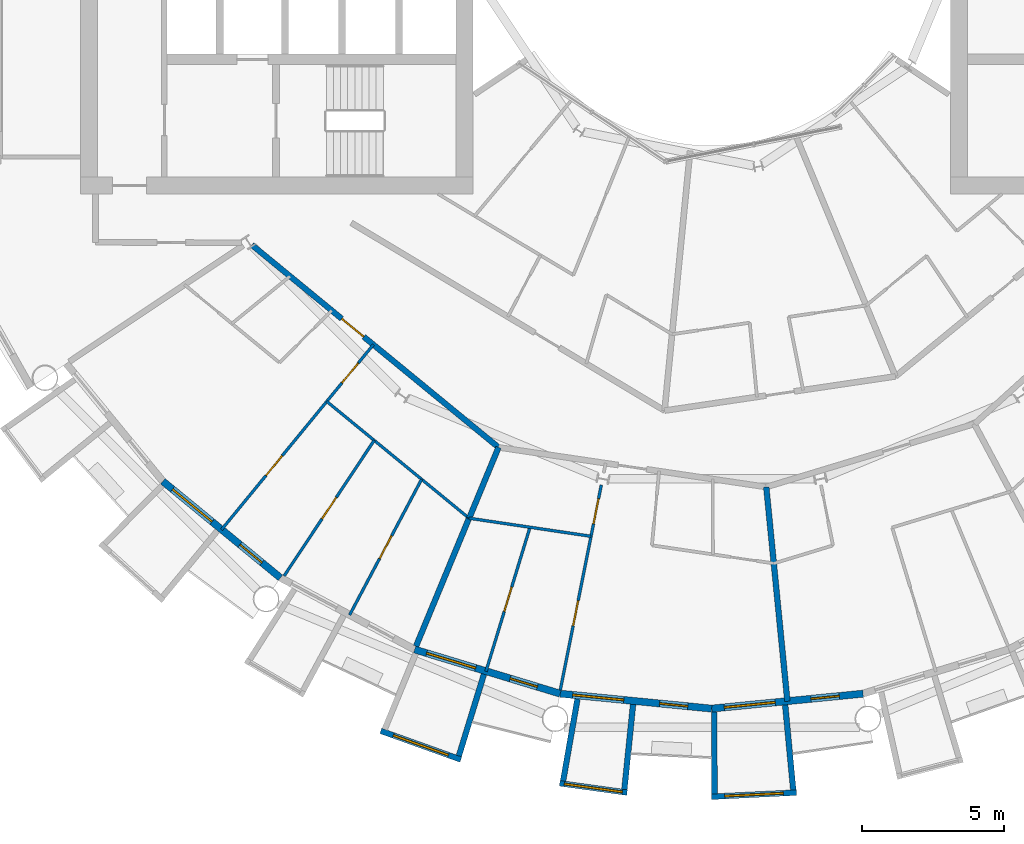
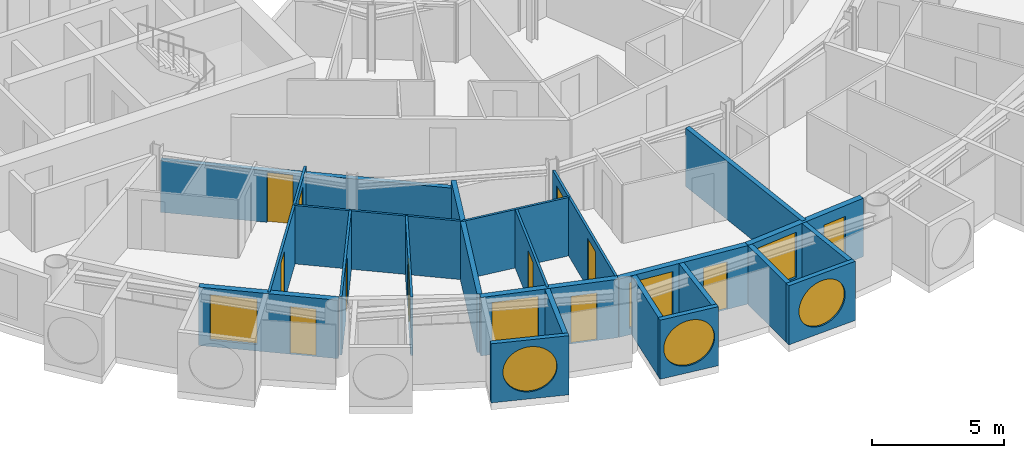
# One storey, part 14 of 28: 23 walls, 12 doors, 7 windows, 19 openings.
"""IFC4 building model written with IfcOpenShell, lengths in metres."""

from ifc_helpers import new_model, si_unit, direction, frame, frame_2d, origin, place, context, subcontext, project, spatial, rectangle, circle, extrude, material, layer, layer_set, type_object, element, fill, save


model = new_model("IFC4")

# Units and contexts
model_context = context("Model", 3, precision=1e-05, world=origin(), true_north=direction((0.0, 1.0)))
body_context = subcontext(model_context, "Body", "Model", "MODEL_VIEW")
ifc_project = project(units=[si_unit("LENGTHUNIT", "METRE"), si_unit("AREAUNIT", "SQUARE_METRE"), si_unit("VOLUMEUNIT", "CUBIC_METRE"), si_unit("PLANEANGLEUNIT", "RADIAN"), si_unit("MASSUNIT", "GRAM", prefix="KILO")], contexts=[model_context])

# Site, building, storey
site_placement = place(None, origin())
site = spatial("IfcSite", under=ifc_project, at=site_placement, CompositionType="ELEMENT")
building_placement = place(site_placement, origin())
building = spatial("IfcBuilding", under=site, at=building_placement, Name="Maasbend Ring Residences", CompositionType="ELEMENT")
storey_placement = place(building_placement, frame((0.0, 0.0, 133.0)))
storey = spatial("IfcBuildingStorey", under=building, at=storey_placement, Name="L38", CompositionType="ELEMENT", Elevation=133.0)

# Wall, opening, door
ifc_material_1 = material(Name="Concrete C30/37", Category="concrete")
ifc_layer_1 = layer(ifc_material_1, 0.199951171875)
ifc_layer_set_1 = layer_set([ifc_layer_1], Name="Concrete C30/37")
wall_type_1 = type_object("IfcWallType", Name="CORRIDOR WALL 200 CONCRETE", PredefinedType="PARTITIONING", material=ifc_layer_set_1)
wall_1_placement = place(storey_placement, frame((-16.173095703125, -10.990966796875, 0.0), z_axis=(0.0, 0.0, 1.0), x_axis=(0.773013989296, -0.634388975591, 0.0)))
wall_1 = element("IfcWall", 1, at=wall_1_placement, inside=storey, type_object=wall_type_1, Name="U-L38-w015", PredefinedType="PARTITIONING", context=body_context, shape_type="SweptSolid", body=[
    extrude(rectangle(XDim=11.218505859375, YDim=0.199951171875, at=frame_2d((5.609375, 0.0))), origin(), (0.0, 0.0, 1.0), 2.389892578125),
])
opening_1_placement = place(wall_1_placement, frame((4.089111328125, 0.0, 0.0)))
opening_1 = element("IfcOpeningElement", 2, at=opening_1_placement, cuts=wall_1, Name="Opening D-3836", PredefinedType="OPENING", context=body_context, shape_type="SweptSolid", body=[
    extrude(rectangle(XDim=1.0, YDim=2.300048828125, at=frame_2d((0.5, 1.14990234375))), frame((0.0, 0.10986328125, 0.0), z_axis=(0.0, -1.0, 0.0), x_axis=(1.0, 0.0, 0.0)), (0.0, 0.0, 1.0), 0.219970703125),
])
ifc_material_2 = material(Name="Timber, fire-rated, painted", Category="wood")
door_type_1 = type_object("IfcDoorType", Name="FLAT ENTRANCE DOOR 1000 X 2300 FIRE-RATED", OperationType="NOTDEFINED", PredefinedType="DOOR", material=ifc_material_2)
door_1_placement = place(opening_1_placement, origin())
door_1 = element("IfcDoor", 3, at=door_1_placement, inside=storey, type_object=door_type_1, Name="D-3836", OperationType="SINGLE_SWING_LEFT", OverallHeight=2.300048828125, OverallWidth=1.0, PredefinedType="DOOR", context=body_context, shape_type="SweptSolid", body=[
    extrude(rectangle(XDim=1.0, YDim=2.300048828125, at=frame_2d((0.5, 1.14990234375))), frame((0.0, 0.02490234375, 0.0), z_axis=(0.0, -1.0, 0.0), x_axis=(1.0, 0.0, 0.0)), (0.0, 0.0, 1.0), 0.050048828125),
])
fill(opening_1, door_1)

# Wall, opening, window
ifc_material_3 = material(Name="Pale anodised aluminium panel", Category="aluminium")
ifc_layer_2 = layer(ifc_material_3, 0.199951171875)
ifc_layer_set_2 = layer_set([ifc_layer_2], Name="EW-BOX")
wall_type_2 = type_object("IfcWallType", Name="EW-BOX", PredefinedType="SOLIDWALL", material=ifc_layer_set_2)
wall_2_placement = place(storey_placement, frame((-11.637939453125, -28.083984375, -0.030029296875), z_axis=(0.0, 0.0, 1.0), x_axis=(0.941461077774, -0.337121697664, 0.0)))
wall_2 = element("IfcWall", 4, at=wall_2_placement, inside=storey, type_object=wall_type_2, Name="Box front S07", PredefinedType="SOLIDWALL", context=body_context, shape_type="SweptSolid", body=[
    extrude(rectangle(XDim=2.9931640625, YDim=0.199951171875, at=frame_2d((1.49658203125, 0.0))), origin(), (0.0, 0.0, 1.0), 2.72998046875),
])
opening_2_placement = place(wall_2_placement, frame((0.45654296875, 0.0, 0.330078125)))
opening_2 = element("IfcOpeningElement", 5, at=opening_2_placement, cuts=wall_2, Name="Opening W-RD", PredefinedType="OPENING", context=body_context, shape_type="SweptSolid", body=[
    extrude(circle(Radius=1.0400390625, at=frame_2d((1.0400390625, 1.0400390625))), frame((0.0, 0.10986328125, 0.0), z_axis=(0.0, -1.0, 0.0), x_axis=(1.0, 0.0, 0.0)), (0.0, 0.0, 1.0), 0.219970703125),
])
ifc_material_4 = material(Name="Aluminium and clear glass", Category="aluminium")
window_type_1 = type_object("IfcWindowType", Name="W-RD", PartitioningType="SINGLE_PANEL", PredefinedType="WINDOW", material=ifc_material_4)
window_1_placement = place(opening_2_placement, origin())
window_1 = element("IfcWindow", 6, at=window_1_placement, inside=storey, type_object=window_type_1, Name="Round window S07", OverallHeight=2.080078125, OverallWidth=2.080078125, PartitioningType="SINGLE_PANEL", PredefinedType="WINDOW", context=body_context, shape_type="SweptSolid", body=[
    extrude(circle(Radius=1.0400390625, at=frame_2d((1.0400390625, 1.0400390625))), frame((0.0, 0.030029296875, 0.0), z_axis=(0.0, -1.0, 0.0), x_axis=(1.0, 0.0, 0.0)), (0.0, 0.0, 1.0), 0.06005859375),
])
fill(opening_2, window_1)

# Wall
wall_3_placement = place(storey_placement, frame((-8.009033203125, -26.092041015625, -0.030029296875), z_axis=(0.0, 0.0, 1.0), x_axis=(-0.293406695073, -0.955987715029, 0.0)))
element("IfcWall", 7, at=wall_3_placement, inside=storey, type_object=wall_type_2, Name="Box side wall S07 right", PredefinedType="SOLIDWALL", context=body_context, shape_type="SweptSolid", body=[
    extrude(rectangle(XDim=3.00634765625, YDim=0.199951171875, at=frame_2d((1.503173828125, 0.0))), origin(), (0.0, 0.0, 1.0), 2.72998046875),
])

# Wall, opening, window
wall_4_placement = place(storey_placement, frame((-5.344970703125, -29.927001953125, -0.030029296875), z_axis=(0.0, 0.0, 1.0), x_axis=(0.99061207328, -0.136703036805, 0.0)))
wall_4 = element("IfcWall", 8, at=wall_4_placement, inside=storey, type_object=wall_type_2, Name="Box front S09", PredefinedType="SOLIDWALL", context=body_context, shape_type="SweptSolid", body=[
    extrude(rectangle(XDim=2.391357421875, YDim=0.199951171875, at=frame_2d((1.19580078125, 0.0))), origin(), (0.0, 0.0, 1.0), 2.72998046875),
])
opening_3_placement = place(wall_4_placement, frame((0.15576171875, 0.0, 0.330078125)))
opening_3 = element("IfcOpeningElement", 9, at=opening_3_placement, cuts=wall_4, Name="Opening W-RD", PredefinedType="OPENING", context=body_context, shape_type="SweptSolid", body=[
    extrude(circle(Radius=1.0400390625, at=frame_2d((1.0400390625, 1.0400390625))), frame((0.0, 0.10986328125, 0.0), z_axis=(0.0, -1.0, 0.0), x_axis=(1.0, 0.0, 0.0)), (0.0, 0.0, 1.0), 0.219970703125),
])
window_2_placement = place(opening_3_placement, origin())
window_2 = element("IfcWindow", 10, at=window_2_placement, inside=storey, type_object=window_type_1, Name="Round window S09", OverallHeight=2.080078125, OverallWidth=2.080078125, PartitioningType="SINGLE_PANEL", PredefinedType="WINDOW", context=body_context, shape_type="SweptSolid", body=[
    extrude(circle(Radius=1.0400390625, at=frame_2d((1.0400390625, 1.0400390625))), frame((0.0, 0.030029296875, 0.0), z_axis=(0.0, -1.0, 0.0), x_axis=(1.0, 0.0, 0.0)), (0.0, 0.0, 1.0), 0.06005859375),
])
fill(opening_3, window_2)

# Walls
wall_5_placement = place(storey_placement, frame((-4.719970703125, -26.9609375, -0.030029296875), z_axis=(0.0, 0.0, 1.0), x_axis=(-0.172463232037, -0.98501595601, 0.0)))
element("IfcWall", 11, at=wall_5_placement, inside=storey, type_object=wall_type_2, Name="Box side wall S09 left", PredefinedType="SOLIDWALL", context=body_context, shape_type="SweptSolid", body=[
    extrude(rectangle(XDim=2.928955078125, YDim=0.199951171875, at=frame_2d((1.46435546875, 0.0))), origin(), (0.0, 0.0, 1.0), 2.72998046875),
])
wall_6_placement = place(storey_placement, frame((-2.763916015625, -27.153076171875, -0.030029296875), z_axis=(0.0, 0.0, 1.0), x_axis=(-0.101505487237, -0.994834979311, 0.0)))
element("IfcWall", 12, at=wall_6_placement, inside=storey, type_object=wall_type_2, Name="Box side wall S09 right", PredefinedType="SOLIDWALL", context=body_context, shape_type="SweptSolid", body=[
    extrude(rectangle(XDim=3.006591796875, YDim=0.199951171875, at=frame_2d((1.50341796875, 0.0))), origin(), (0.0, 0.0, 1.0), 2.72998046875),
])

# Wall, opening, window
wall_7_placement = place(storey_placement, frame((-0.0048828125, -30.39990234375, -0.030029296875), z_axis=(0.0, 0.0, 1.0), x_axis=(0.998794083011, 0.049095618353, 0.0)))
wall_7 = element("IfcWall", 13, at=wall_7_placement, inside=storey, type_object=wall_type_2, Name="Box front S11", PredefinedType="SOLIDWALL", context=body_context, shape_type="SweptSolid", body=[
    extrude(rectangle(XDim=2.99365234375, YDim=0.199951171875, at=frame_2d((1.496826171875, 0.0))), origin(), (0.0, 0.0, 1.0), 2.72998046875),
])
opening_4_placement = place(wall_7_placement, frame((0.45654296875, 0.0, 0.330078125)))
opening_4 = element("IfcOpeningElement", 14, at=opening_4_placement, cuts=wall_7, Name="Opening W-RD", PredefinedType="OPENING", context=body_context, shape_type="SweptSolid", body=[
    extrude(circle(Radius=1.0400390625, at=frame_2d((1.0400390625, 1.0400390625))), frame((0.0, 0.10986328125, 0.0), z_axis=(0.0, -1.0, 0.0), x_axis=(1.0, 0.0, 0.0)), (0.0, 0.0, 1.0), 0.219970703125),
])
window_3_placement = place(opening_4_placement, origin())
window_3 = element("IfcWindow", 15, at=window_3_placement, inside=storey, type_object=window_type_1, Name="Round window S11", OverallHeight=2.080078125, OverallWidth=2.080078125, PartitioningType="SINGLE_PANEL", PredefinedType="WINDOW", context=body_context, shape_type="SweptSolid", body=[
    extrude(circle(Radius=1.0400390625, at=frame_2d((1.0400390625, 1.0400390625))), frame((0.0, 0.030029296875, 0.0), z_axis=(0.0, -1.0, 0.0), x_axis=(1.0, 0.0, 0.0)), (0.0, 0.0, 1.0), 0.06005859375),
])
fill(opening_4, window_3)

# Walls
wall_8_placement = place(storey_placement, frame((0.090087890625, -27.4169921875, -0.030029296875), z_axis=(0.0, 0.0, 1.0), x_axis=(0.00347308367, -0.999993968827, 0.0)))
element("IfcWall", 16, at=wall_8_placement, inside=storey, type_object=wall_type_2, Name="Box side wall S11 left", PredefinedType="SOLIDWALL", context=body_context, shape_type="SweptSolid", body=[
    extrude(rectangle(XDim=2.882080078125, YDim=0.199951171875, at=frame_2d((1.44091796875, 0.0))), origin(), (0.0, 0.0, 1.0), 2.72998046875),
])
wall_9_placement = place(storey_placement, frame((2.5859375, -27.1708984375, -0.030029296875), z_axis=(0.0, 0.0, 1.0), x_axis=(0.094548432284, -0.995520262954, 0.0)))
element("IfcWall", 17, at=wall_9_placement, inside=storey, type_object=wall_type_2, Name="Box side wall S11 right", PredefinedType="SOLIDWALL", context=body_context, shape_type="SweptSolid", body=[
    extrude(rectangle(XDim=3.005615234375, YDim=0.199951171875, at=frame_2d((1.5029296875, 0.0))), origin(), (0.0, 0.0, 1.0), 2.72998046875),
])

# Wall, openings, door, window
ifc_material_5 = material(Name="Aluminium clad insulated panel", Category="aluminium")
ifc_layer_3 = layer(ifc_material_5, 0.25)
ifc_layer_set_3 = layer_set([ifc_layer_3], Name="EW-GL")
wall_type_3 = type_object("IfcWallType", Name="EW-GL", PredefinedType="SOLIDWALL", material=ifc_layer_set_3)
wall_10_placement = place(storey_placement, frame((-19.303955078125, -19.303955078125, 0.0), z_axis=(0.0, 0.0, 1.0), x_axis=(0.773019449054, -0.634382322723, 0.0)))
wall_10 = element("IfcWall", 18, at=wall_10_placement, inside=storey, type_object=wall_type_3, Name="External wall S02", PredefinedType="SOLIDWALL", context=body_context, shape_type="SweptSolid", body=[
    extrude(rectangle(XDim=5.351806640625, YDim=0.25, at=frame_2d((2.67578125, 0.0))), origin(), (0.0, 0.0, 1.0), 2.699951171875),
])
opening_5_placement = place(wall_10_placement, frame((0.441162109375, 0.0, 0.300048828125)))
opening_5 = element("IfcOpeningElement", 19, at=opening_5_placement, cuts=wall_10, Name="Opening W-BX", PredefinedType="OPENING", context=body_context, shape_type="SweptSolid", body=[
    extrude(rectangle(XDim=1.800048828125, YDim=2.10009765625, at=frame_2d((0.89990234375, 1.050048828125))), frame((0.0, 0.135009765625, 0.0), z_axis=(0.0, -1.0, 0.0), x_axis=(1.0, 0.0, 0.0)), (0.0, 0.0, 1.0), 0.27001953125),
])
opening_6_placement = place(wall_10_placement, frame((3.510498046875, 0.0, 0.0)))
opening_6 = element("IfcOpeningElement", 20, at=opening_6_placement, cuts=wall_10, Name="Opening D-LG", PredefinedType="OPENING", context=body_context, shape_type="SweptSolid", body=[
    extrude(rectangle(XDim=1.0, YDim=2.199951171875, at=frame_2d((0.5, 1.10009765625))), frame((0.0, 0.135009765625, 0.0), z_axis=(0.0, -1.0, 0.0), x_axis=(1.0, 0.0, 0.0)), (0.0, 0.0, 1.0), 0.27001953125),
])
ifc_material_6 = material(Name="Aluminium and clear glass", Category="aluminium")
door_type_2 = type_object("IfcDoorType", Name="D-LG", OperationType="SINGLE_SWING_LEFT", PredefinedType="DOOR", material=ifc_material_6)
door_2_placement = place(opening_6_placement, origin())
door_2 = element("IfcDoor", 21, at=door_2_placement, inside=storey, type_object=door_type_2, Name="Loggia door S04", OperationType="SINGLE_SWING_LEFT", OverallHeight=2.199951171875, OverallWidth=1.0, PredefinedType="DOOR", context=body_context, shape_type="SweptSolid", body=[
    extrude(rectangle(XDim=1.0, YDim=2.199951171875, at=frame_2d((0.5, 1.10009765625))), frame((0.0, 0.02490234375, 0.0), z_axis=(0.0, -1.0, 0.0), x_axis=(1.0, 0.0, 0.0)), (0.0, 0.0, 1.0), 0.050048828125),
])
fill(opening_6, door_2)
ifc_material_7 = material(Name="Aluminium and clear glass", Category="aluminium")
window_type_2 = type_object("IfcWindowType", Name="W-BX", PartitioningType="DOUBLE_PANEL_VERTICAL", PredefinedType="WINDOW", material=ifc_material_7)
window_4_placement = place(opening_5_placement, origin())
window_4 = element("IfcWindow", 22, at=window_4_placement, inside=storey, type_object=window_type_2, Name="Window S03 room to box", OverallHeight=2.10009765625, OverallWidth=1.800048828125, PartitioningType="SINGLE_PANEL", PredefinedType="WINDOW", context=body_context, shape_type="SweptSolid", body=[
    extrude(rectangle(XDim=1.800048828125, YDim=2.10009765625, at=frame_2d((0.89990234375, 1.050048828125))), frame((0.0, 0.030029296875, 0.0), z_axis=(0.0, -1.0, 0.0), x_axis=(1.0, 0.0, 0.0)), (0.0, 0.0, 1.0), 0.06005859375),
])
fill(opening_5, window_4)

wall_11_placement = place(storey_placement, frame((-10.447021484375, -25.221923828125, 0.0), z_axis=(0.0, 0.0, 1.0), x_axis=(0.956965678721, -0.290201119486, 0.0)))
wall_11 = element("IfcWall", 23, at=wall_11_placement, inside=storey, type_object=wall_type_3, Name="External wall S04", PredefinedType="SOLIDWALL", context=body_context, shape_type="SweptSolid", body=[
    extrude(rectangle(XDim=5.351318359375, YDim=0.25, at=frame_2d((2.67578125, 0.0))), origin(), (0.0, 0.0, 1.0), 2.699951171875),
])
opening_7_placement = place(wall_11_placement, frame((0.441162109375, 0.0, 0.300048828125)))
opening_7 = element("IfcOpeningElement", 24, at=opening_7_placement, cuts=wall_11, Name="Opening W-BX", PredefinedType="OPENING", context=body_context, shape_type="SweptSolid", body=[
    extrude(rectangle(XDim=1.800048828125, YDim=2.10009765625, at=frame_2d((0.89990234375, 1.050048828125))), frame((0.0, 0.135009765625, 0.0), z_axis=(0.0, -1.0, 0.0), x_axis=(1.0, 0.0, 0.0)), (0.0, 0.0, 1.0), 0.27001953125),
])
opening_8_placement = place(wall_11_placement, frame((3.510498046875, 0.0, 0.0)))
opening_8 = element("IfcOpeningElement", 25, at=opening_8_placement, cuts=wall_11, Name="Opening D-LG", PredefinedType="OPENING", context=body_context, shape_type="SweptSolid", body=[
    extrude(rectangle(XDim=1.0, YDim=2.199951171875, at=frame_2d((0.5, 1.10009765625))), frame((0.0, 0.135009765625, 0.0), z_axis=(0.0, -1.0, 0.0), x_axis=(1.0, 0.0, 0.0)), (0.0, 0.0, 1.0), 0.27001953125),
])
door_3_placement = place(opening_8_placement, origin())
door_3 = element("IfcDoor", 26, at=door_3_placement, inside=storey, type_object=door_type_2, Name="Loggia door S08", OperationType="SINGLE_SWING_LEFT", OverallHeight=2.199951171875, OverallWidth=1.0, PredefinedType="DOOR", context=body_context, shape_type="SweptSolid", body=[
    extrude(rectangle(XDim=1.0, YDim=2.199951171875, at=frame_2d((0.5, 1.10009765625))), frame((0.0, 0.02490234375, 0.0), z_axis=(0.0, -1.0, 0.0), x_axis=(1.0, 0.0, 0.0)), (0.0, 0.0, 1.0), 0.050048828125),
])
fill(opening_8, door_3)
window_5_placement = place(opening_7_placement, origin())
window_5 = element("IfcWindow", 27, at=window_5_placement, inside=storey, type_object=window_type_2, Name="Window S07 room to box", OverallHeight=2.10009765625, OverallWidth=1.800048828125, PartitioningType="SINGLE_PANEL", PredefinedType="WINDOW", context=body_context, shape_type="SweptSolid", body=[
    extrude(rectangle(XDim=1.800048828125, YDim=2.10009765625, at=frame_2d((0.89990234375, 1.050048828125))), frame((0.0, 0.030029296875, 0.0), z_axis=(0.0, -1.0, 0.0), x_axis=(1.0, 0.0, 0.0)), (0.0, 0.0, 1.0), 0.06005859375),
])
fill(opening_7, window_5)

wall_12_placement = place(storey_placement, frame((-5.325927734375, -26.77490234375, 0.0), z_axis=(0.0, 0.0, 1.0), x_axis=(0.995173996315, -0.098126026407, 0.0)))
wall_12 = element("IfcWall", 28, at=wall_12_placement, inside=storey, type_object=wall_type_3, Name="External wall S05", PredefinedType="SOLIDWALL", context=body_context, shape_type="SweptSolid", body=[
    extrude(rectangle(XDim=5.351806640625, YDim=0.25, at=frame_2d((2.67578125, 0.0))), origin(), (0.0, 0.0, 1.0), 2.699951171875),
])
opening_9_placement = place(wall_12_placement, frame((0.441162109375, 0.0, 0.300048828125)))
opening_9 = element("IfcOpeningElement", 29, at=opening_9_placement, cuts=wall_12, Name="Opening W-BX", PredefinedType="OPENING", context=body_context, shape_type="SweptSolid", body=[
    extrude(rectangle(XDim=1.800048828125, YDim=2.10009765625, at=frame_2d((0.89990234375, 1.050048828125))), frame((0.0, 0.135009765625, 0.0), z_axis=(0.0, -1.0, 0.0), x_axis=(1.0, 0.0, 0.0)), (0.0, 0.0, 1.0), 0.27001953125),
])
opening_10_placement = place(wall_12_placement, frame((3.510498046875, 0.0, 0.0)))
opening_10 = element("IfcOpeningElement", 30, at=opening_10_placement, cuts=wall_12, Name="Opening D-LG", PredefinedType="OPENING", context=body_context, shape_type="SweptSolid", body=[
    extrude(rectangle(XDim=1.0, YDim=2.199951171875, at=frame_2d((0.5, 1.10009765625))), frame((0.0, 0.135009765625, 0.0), z_axis=(0.0, -1.0, 0.0), x_axis=(1.0, 0.0, 0.0)), (0.0, 0.0, 1.0), 0.27001953125),
])
door_4_placement = place(opening_10_placement, origin())
door_4 = element("IfcDoor", 31, at=door_4_placement, inside=storey, type_object=door_type_2, Name="Loggia door S10", OperationType="SINGLE_SWING_LEFT", OverallHeight=2.199951171875, OverallWidth=1.0, PredefinedType="DOOR", context=body_context, shape_type="SweptSolid", body=[
    extrude(rectangle(XDim=1.0, YDim=2.199951171875, at=frame_2d((0.5, 1.10009765625))), frame((0.0, 0.02490234375, 0.0), z_axis=(0.0, -1.0, 0.0), x_axis=(1.0, 0.0, 0.0)), (0.0, 0.0, 1.0), 0.050048828125),
])
fill(opening_10, door_4)
window_6_placement = place(opening_9_placement, origin())
window_6 = element("IfcWindow", 32, at=window_6_placement, inside=storey, type_object=window_type_2, Name="Window S09 room to box", OverallHeight=2.10009765625, OverallWidth=1.800048828125, PartitioningType="SINGLE_PANEL", PredefinedType="WINDOW", context=body_context, shape_type="SweptSolid", body=[
    extrude(rectangle(XDim=1.800048828125, YDim=2.10009765625, at=frame_2d((0.89990234375, 1.050048828125))), frame((0.0, 0.030029296875, 0.0), z_axis=(0.0, -1.0, 0.0), x_axis=(1.0, 0.0, 0.0)), (0.0, 0.0, 1.0), 0.06005859375),
])
fill(opening_9, window_6)

wall_13_placement = place(storey_placement, frame((0.0, -27.300048828125, 0.0), z_axis=(0.0, 0.0, 1.0), x_axis=(0.995173996315, 0.098126026407, 0.0)))
wall_13 = element("IfcWall", 33, at=wall_13_placement, inside=storey, type_object=wall_type_3, Name="External wall S06", PredefinedType="SOLIDWALL", context=body_context, shape_type="SweptSolid", body=[
    extrude(rectangle(XDim=5.351806640625, YDim=0.25, at=frame_2d((2.67578125, 0.0))), origin(), (0.0, 0.0, 1.0), 2.699951171875),
])
opening_11_placement = place(wall_13_placement, frame((0.441162109375, 0.0, 0.300048828125)))
opening_11 = element("IfcOpeningElement", 34, at=opening_11_placement, cuts=wall_13, Name="Opening W-BX", PredefinedType="OPENING", context=body_context, shape_type="SweptSolid", body=[
    extrude(rectangle(XDim=1.800048828125, YDim=2.10009765625, at=frame_2d((0.89990234375, 1.050048828125))), frame((0.0, 0.135009765625, 0.0), z_axis=(0.0, -1.0, 0.0), x_axis=(1.0, 0.0, 0.0)), (0.0, 0.0, 1.0), 0.27001953125),
])
opening_12_placement = place(wall_13_placement, frame((3.510498046875, 0.0, 0.0)))
opening_12 = element("IfcOpeningElement", 35, at=opening_12_placement, cuts=wall_13, Name="Opening D-LG", PredefinedType="OPENING", context=body_context, shape_type="SweptSolid", body=[
    extrude(rectangle(XDim=1.0, YDim=2.199951171875, at=frame_2d((0.5, 1.10009765625))), frame((0.0, 0.135009765625, 0.0), z_axis=(0.0, -1.0, 0.0), x_axis=(1.0, 0.0, 0.0)), (0.0, 0.0, 1.0), 0.27001953125),
])
door_5_placement = place(opening_12_placement, origin())
door_5 = element("IfcDoor", 36, at=door_5_placement, inside=storey, type_object=door_type_2, Name="Loggia door S12", OperationType="SINGLE_SWING_LEFT", OverallHeight=2.199951171875, OverallWidth=1.0, PredefinedType="DOOR", context=body_context, shape_type="SweptSolid", body=[
    extrude(rectangle(XDim=1.0, YDim=2.199951171875, at=frame_2d((0.5, 1.10009765625))), frame((0.0, 0.02490234375, 0.0), z_axis=(0.0, -1.0, 0.0), x_axis=(1.0, 0.0, 0.0)), (0.0, 0.0, 1.0), 0.050048828125),
])
fill(opening_12, door_5)
window_7_placement = place(opening_11_placement, origin())
window_7 = element("IfcWindow", 37, at=window_7_placement, inside=storey, type_object=window_type_2, Name="Window S11 room to box", OverallHeight=2.10009765625, OverallWidth=1.800048828125, PartitioningType="SINGLE_PANEL", PredefinedType="WINDOW", context=body_context, shape_type="SweptSolid", body=[
    extrude(rectangle(XDim=1.800048828125, YDim=2.10009765625, at=frame_2d((0.89990234375, 1.050048828125))), frame((0.0, 0.030029296875, 0.0), z_axis=(0.0, -1.0, 0.0), x_axis=(1.0, 0.0, 0.0)), (0.0, 0.0, 1.0), 0.06005859375),
])
fill(opening_11, window_7)

# Walls
ifc_material_8 = material(Name="Gypsum board on steel studs", Category="steel")
ifc_layer_4 = layer(ifc_material_8, 0.10009765625)
ifc_layer_set_4 = layer_set([ifc_layer_4], Name="PARTITION 100 GYPSUM")
wall_type_4 = type_object("IfcWallType", Name="PARTITION 100 GYPSUM", PredefinedType="PARTITIONING", material=ifc_layer_set_4)
wall_14_placement = place(storey_placement, frame((-8.533935546875, -20.60302734375, 0.0), z_axis=(0.0, 0.0, 1.0), x_axis=(0.989178348771, -0.146718077695, 0.0)))
element("IfcWall", 38, at=wall_14_placement, inside=storey, type_object=wall_type_4, Name="U-L38-w005", PredefinedType="PARTITIONING", context=body_context, shape_type="SweptSolid", body=[
    extrude(rectangle(XDim=4.334716796875, YDim=0.10009765625, at=frame_2d((2.16748046875, 0.0))), origin(), (0.0, 0.0, 1.0), 2.699951171875),
])
wall_15_placement = place(storey_placement, frame((-13.5380859375, -16.49609375, 0.0), z_axis=(0.0, 0.0, 1.0), x_axis=(0.773000340237, -0.634405606843, 0.0)))
element("IfcWall", 39, at=wall_15_placement, inside=storey, type_object=wall_type_4, Name="U-L38-w010", PredefinedType="PARTITIONING", context=body_context, shape_type="SweptSolid", body=[
    extrude(rectangle(XDim=6.4736328125, YDim=0.10009765625, at=frame_2d((3.23681640625, 0.0))), origin(), (0.0, 0.0, 1.0), 2.699951171875),
])

# Wall, openings, doors
wall_16_placement = place(storey_placement, frame((-17.239990234375, -21.007080078125, 0.0), z_axis=(0.0, 0.0, 1.0), x_axis=(0.634396151441, 0.77300810024, 0.0)))
wall_16 = element("IfcWall", 40, at=wall_16_placement, inside=storey, type_object=wall_type_4, Name="U-L38-w031", PredefinedType="PARTITIONING", context=body_context, shape_type="SweptSolid", body=[
    extrude(rectangle(XDim=8.419189453125, YDim=0.10009765625, at=frame_2d((4.20947265625, 0.0))), origin(), (0.0, 0.0, 1.0), 2.699951171875),
])
opening_13_placement = place(wall_16_placement, frame((6.678955078125, 0.0, 0.0)))
opening_13 = element("IfcOpeningElement", 41, at=opening_13_placement, cuts=wall_16, Name="Opening D-3839", PredefinedType="OPENING", context=body_context, shape_type="SweptSolid", body=[
    extrude(rectangle(XDim=0.89990234375, YDim=2.300048828125, at=frame_2d((0.449951171875, 1.14990234375))), frame((0.0, 0.06005859375, 0.0), z_axis=(0.0, -1.0, 0.0), x_axis=(1.0, 0.0, 0.0)), (0.0, 0.0, 1.0), 0.1201171875),
])
opening_14_placement = place(wall_16_placement, frame((2.468017578125, 0.0, 0.0)))
opening_14 = element("IfcOpeningElement", 42, at=opening_14_placement, cuts=wall_16, Name="Opening D-3840", PredefinedType="OPENING", context=body_context, shape_type="SweptSolid", body=[
    extrude(rectangle(XDim=0.89990234375, YDim=2.300048828125, at=frame_2d((0.449951171875, 1.14990234375))), frame((0.0, 0.06005859375, 0.0), z_axis=(0.0, -1.0, 0.0), x_axis=(1.0, 0.0, 0.0)), (0.0, 0.0, 1.0), 0.1201171875),
])
ifc_material_9 = material(Name="Timber, painted", Category="wood")
door_type_3 = type_object("IfcDoorType", Name="INTERNAL DOOR 900 X 2300", OperationType="NOTDEFINED", PredefinedType="DOOR", material=ifc_material_9)
door_6_placement = place(opening_13_placement, origin())
door_6 = element("IfcDoor", 43, at=door_6_placement, inside=storey, type_object=door_type_3, Name="D-3839", OperationType="SINGLE_SWING_RIGHT", OverallHeight=2.300048828125, OverallWidth=0.89990234375, PredefinedType="DOOR", context=body_context, shape_type="SweptSolid", body=[
    extrude(rectangle(XDim=0.89990234375, YDim=2.300048828125, at=frame_2d((0.449951171875, 1.14990234375))), frame((0.0, 0.02490234375, 0.0), z_axis=(0.0, -1.0, 0.0), x_axis=(1.0, 0.0, 0.0)), (0.0, 0.0, 1.0), 0.050048828125),
])
fill(opening_13, door_6)
door_7_placement = place(opening_14_placement, origin())
door_7 = element("IfcDoor", 44, at=door_7_placement, inside=storey, type_object=door_type_3, Name="D-3840", OperationType="SINGLE_SWING_LEFT", OverallHeight=2.300048828125, OverallWidth=0.89990234375, PredefinedType="DOOR", context=body_context, shape_type="SweptSolid", body=[
    extrude(rectangle(XDim=0.89990234375, YDim=2.300048828125, at=frame_2d((0.449951171875, 1.14990234375))), frame((0.0, 0.02490234375, 0.0), z_axis=(0.0, -1.0, 0.0), x_axis=(1.0, 0.0, 0.0)), (0.0, 0.0, 1.0), 0.050048828125),
])
fill(opening_14, door_7)

# Wall, opening, door
wall_17_placement = place(storey_placement, frame((-15.0390625, -22.634033203125, 0.0), z_axis=(0.0, 0.0, 1.0), x_axis=(0.553440102418, 0.832888980018, 0.0)))
wall_17 = element("IfcWall", 45, at=wall_17_placement, inside=storey, type_object=wall_type_4, Name="U-L38-w038", PredefinedType="PARTITIONING", context=body_context, shape_type="SweptSolid", body=[
    extrude(rectangle(XDim=5.725830078125, YDim=0.10009765625, at=frame_2d((2.86279296875, 0.0))), origin(), (0.0, 0.0, 1.0), 2.699951171875),
])
opening_15_placement = place(wall_17_placement, frame((2.4130859375, 0.0, 0.0)))
opening_15 = element("IfcOpeningElement", 46, at=opening_15_placement, cuts=wall_17, Name="Opening D-3841", PredefinedType="OPENING", context=body_context, shape_type="SweptSolid", body=[
    extrude(rectangle(XDim=0.89990234375, YDim=2.300048828125, at=frame_2d((0.449951171875, 1.14990234375))), frame((0.0, 0.06005859375, 0.0), z_axis=(0.0, -1.0, 0.0), x_axis=(1.0, 0.0, 0.0)), (0.0, 0.0, 1.0), 0.1201171875),
])
door_8_placement = place(opening_15_placement, origin())
door_8 = element("IfcDoor", 47, at=door_8_placement, inside=storey, type_object=door_type_3, Name="D-3841", OperationType="SINGLE_SWING_RIGHT", OverallHeight=2.300048828125, OverallWidth=0.89990234375, PredefinedType="DOOR", context=body_context, shape_type="SweptSolid", body=[
    extrude(rectangle(XDim=0.89990234375, YDim=2.300048828125, at=frame_2d((0.449951171875, 1.14990234375))), frame((0.0, 0.02490234375, 0.0), z_axis=(0.0, -1.0, 0.0), x_axis=(1.0, 0.0, 0.0)), (0.0, 0.0, 1.0), 0.050048828125),
])
fill(opening_15, door_8)

wall_18_placement = place(storey_placement, frame((-12.73388671875, -24.007080078125, 0.0), z_axis=(0.0, 0.0, 1.0), x_axis=(0.468610030042, 0.883405139075, 0.0)))
wall_18 = element("IfcWall", 48, at=wall_18_placement, inside=storey, type_object=wall_type_4, Name="U-L38-w040", PredefinedType="PARTITIONING", context=body_context, shape_type="SweptSolid", body=[
    extrude(rectangle(XDim=5.403076171875, YDim=0.10009765625, at=frame_2d((2.70166015625, 0.0))), origin(), (0.0, 0.0, 1.0), 2.699951171875),
])
opening_16_placement = place(wall_18_placement, frame((2.251953125, 0.0, 0.0)))
opening_16 = element("IfcOpeningElement", 49, at=opening_16_placement, cuts=wall_18, Name="Opening D-3842", PredefinedType="OPENING", context=body_context, shape_type="SweptSolid", body=[
    extrude(rectangle(XDim=0.89990234375, YDim=2.300048828125, at=frame_2d((0.449951171875, 1.14990234375))), frame((0.0, 0.06005859375, 0.0), z_axis=(0.0, -1.0, 0.0), x_axis=(1.0, 0.0, 0.0)), (0.0, 0.0, 1.0), 0.1201171875),
])
door_9_placement = place(opening_16_placement, origin())
door_9 = element("IfcDoor", 50, at=door_9_placement, inside=storey, type_object=door_type_3, Name="D-3842", OperationType="SINGLE_SWING_LEFT", OverallHeight=2.300048828125, OverallWidth=0.89990234375, PredefinedType="DOOR", context=body_context, shape_type="SweptSolid", body=[
    extrude(rectangle(XDim=0.89990234375, YDim=2.300048828125, at=frame_2d((0.449951171875, 1.14990234375))), frame((0.0, 0.02490234375, 0.0), z_axis=(0.0, -1.0, 0.0), x_axis=(1.0, 0.0, 0.0)), (0.0, 0.0, 1.0), 0.050048828125),
])
fill(opening_16, door_9)

wall_19_placement = place(storey_placement, frame((-7.93798828125, -25.989990234375, 0.0), z_axis=(0.0, 0.0, 1.0), x_axis=(0.292081613207, 0.956393397732, 0.0)))
wall_19 = element("IfcWall", 51, at=wall_19_placement, inside=storey, type_object=wall_type_4, Name="U-L38-w047", PredefinedType="PARTITIONING", context=body_context, shape_type="SweptSolid", body=[
    extrude(rectangle(XDim=5.30029296875, YDim=0.10009765625, at=frame_2d((2.650146484375, 0.0))), origin(), (0.0, 0.0, 1.0), 2.699951171875),
])
opening_17_placement = place(wall_19_placement, frame((2.199951171875, 0.0, 0.0)))
opening_17 = element("IfcOpeningElement", 52, at=opening_17_placement, cuts=wall_19, Name="Opening D-3848", PredefinedType="OPENING", context=body_context, shape_type="SweptSolid", body=[
    extrude(rectangle(XDim=0.89990234375, YDim=2.300048828125, at=frame_2d((0.449951171875, 1.14990234375))), frame((0.0, 0.06005859375, 0.0), z_axis=(0.0, -1.0, 0.0), x_axis=(1.0, 0.0, 0.0)), (0.0, 0.0, 1.0), 0.1201171875),
])
door_10_placement = place(opening_17_placement, origin())
door_10 = element("IfcDoor", 53, at=door_10_placement, inside=storey, type_object=door_type_3, Name="D-3848", OperationType="SINGLE_SWING_RIGHT", OverallHeight=2.300048828125, OverallWidth=0.89990234375, PredefinedType="DOOR", context=body_context, shape_type="SweptSolid", body=[
    extrude(rectangle(XDim=0.89990234375, YDim=2.300048828125, at=frame_2d((0.449951171875, 1.14990234375))), frame((0.0, 0.02490234375, 0.0), z_axis=(0.0, -1.0, 0.0), x_axis=(1.0, 0.0, 0.0)), (0.0, 0.0, 1.0), 0.050048828125),
])
fill(opening_17, door_10)

# Wall, openings, doors
wall_20_placement = place(storey_placement, frame((-5.323974609375, -26.64892578125, 0.0), z_axis=(0.0, 0.0, 1.0), x_axis=(0.195918370415, 0.980620207896, 0.0)))
wall_20 = element("IfcWall", 54, at=wall_20_placement, inside=storey, type_object=wall_type_4, Name="U-L38-w050", PredefinedType="PARTITIONING", context=body_context, shape_type="SweptSolid", body=[
    extrude(rectangle(XDim=7.359619140625, YDim=0.10009765625, at=frame_2d((3.6796875, 0.0))), origin(), (0.0, 0.0, 1.0), 2.699951171875),
])
opening_18_placement = place(wall_20_placement, frame((5.966064453125, 0.0, 0.0)))
opening_18 = element("IfcOpeningElement", 55, at=opening_18_placement, cuts=wall_20, Name="Opening D-3846", PredefinedType="OPENING", context=body_context, shape_type="SweptSolid", body=[
    extrude(rectangle(XDim=0.89990234375, YDim=2.300048828125, at=frame_2d((0.449951171875, 1.14990234375))), frame((0.0, 0.06005859375, 0.0), z_axis=(0.0, -1.0, 0.0), x_axis=(1.0, 0.0, 0.0)), (0.0, 0.0, 1.0), 0.1201171875),
])
opening_19_placement = place(wall_20_placement, frame((2.30810546875, 0.0, 0.0)))
opening_19 = element("IfcOpeningElement", 56, at=opening_19_placement, cuts=wall_20, Name="Opening D-3847", PredefinedType="OPENING", context=body_context, shape_type="SweptSolid", body=[
    extrude(rectangle(XDim=0.89990234375, YDim=2.300048828125, at=frame_2d((0.449951171875, 1.14990234375))), frame((0.0, 0.06005859375, 0.0), z_axis=(0.0, -1.0, 0.0), x_axis=(1.0, 0.0, 0.0)), (0.0, 0.0, 1.0), 0.1201171875),
])
door_11_placement = place(opening_18_placement, origin())
door_11 = element("IfcDoor", 57, at=door_11_placement, inside=storey, type_object=door_type_3, Name="D-3846", OperationType="SINGLE_SWING_RIGHT", OverallHeight=2.300048828125, OverallWidth=0.89990234375, PredefinedType="DOOR", context=body_context, shape_type="SweptSolid", body=[
    extrude(rectangle(XDim=0.89990234375, YDim=2.300048828125, at=frame_2d((0.449951171875, 1.14990234375))), frame((0.0, 0.02490234375, 0.0), z_axis=(0.0, -1.0, 0.0), x_axis=(1.0, 0.0, 0.0)), (0.0, 0.0, 1.0), 0.050048828125),
])
fill(opening_18, door_11)
door_12_placement = place(opening_19_placement, origin())
door_12 = element("IfcDoor", 58, at=door_12_placement, inside=storey, type_object=door_type_3, Name="D-3847", OperationType="SINGLE_SWING_LEFT", OverallHeight=2.300048828125, OverallWidth=0.89990234375, PredefinedType="DOOR", context=body_context, shape_type="SweptSolid", body=[
    extrude(rectangle(XDim=0.89990234375, YDim=2.300048828125, at=frame_2d((0.449951171875, 1.14990234375))), frame((0.0, 0.02490234375, 0.0), z_axis=(0.0, -1.0, 0.0), x_axis=(1.0, 0.0, 0.0)), (0.0, 0.0, 1.0), 0.050048828125),
])
fill(opening_19, door_12)

# Walls
ifc_material_10 = material(Name="Concrete C30/37", Category="concrete")
ifc_layer_5 = layer(ifc_material_10, 0.199951171875)
ifc_layer_set_5 = layer_set([ifc_layer_5], Name="Concrete C30/37")
wall_type_5 = type_object("IfcWallType", Name="PARTY WALL 200 CONCRETE", PredefinedType="PARTITIONING", material=ifc_layer_set_5)
wall_21_placement = place(storey_placement, frame((-10.39892578125, -25.10595703125, 0.0), z_axis=(0.0, 0.0, 1.0), x_axis=(0.382651153718, 0.923892902104, 0.0)))
element("IfcWall", 59, at=wall_21_placement, inside=storey, type_object=wall_type_5, Name="U-L38-w042", PredefinedType="PARTITIONING", context=body_context, shape_type="SweptSolid", body=[
    extrude(rectangle(XDim=4.873779296875, YDim=0.199951171875, at=frame_2d((2.43701171875, 0.0))), origin(), (0.0, 0.0, 1.0), 2.699951171875),
])
wall_22_placement = place(storey_placement, frame((-8.529052734375, -20.60498046875, 0.0), z_axis=(0.0, 0.0, 1.0), x_axis=(0.382540781694, 0.923938607452, 0.0)))
element("IfcWall", 60, at=wall_22_placement, inside=storey, type_object=wall_type_5, Name="U-L38-w043", PredefinedType="PARTITIONING", context=body_context, shape_type="SweptSolid", body=[
    extrude(rectangle(XDim=2.7001953125, YDim=0.199951171875, at=frame_2d((1.35009765625, 0.0))), origin(), (0.0, 0.0, 1.0), 2.699951171875),
])
wall_23_placement = place(storey_placement, frame((1.9208984375, -19.506103515625, 0.0), z_axis=(0.0, 0.0, 1.0), x_axis=(0.098115395479, -0.995175044487, 0.0)))
element("IfcWall", 61, at=wall_23_placement, inside=storey, type_object=wall_type_5, Name="U-L38-w067", PredefinedType="PARTITIONING", context=body_context, shape_type="SweptSolid", body=[
    extrude(rectangle(XDim=7.574462890625, YDim=0.199951171875, at=frame_2d((3.787109375, 0.0))), origin(), (0.0, 0.0, 1.0), 2.699951171875),
])

save(model, "model.ifc")
